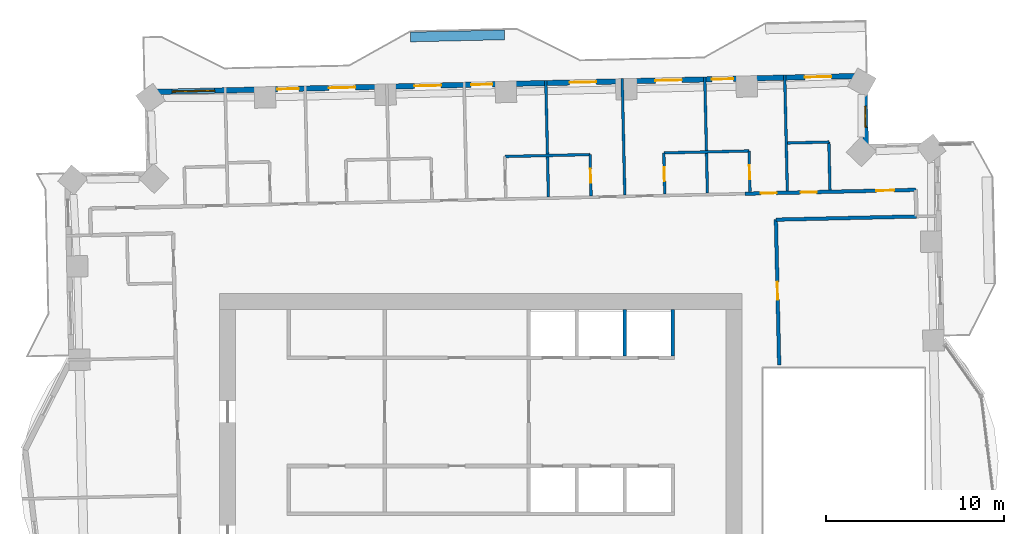
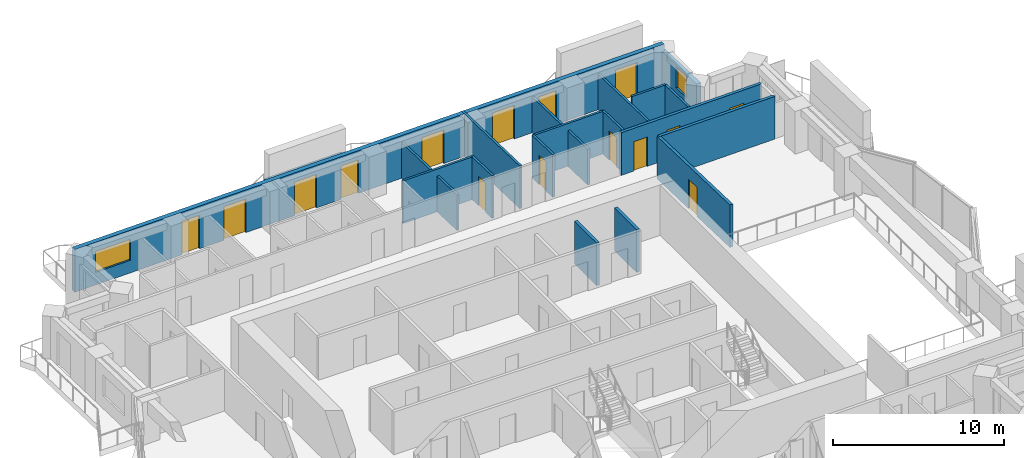
# One storey, part 11 of 16: 19 walls, 15 doors, 2 windows, 17 openings.
"""IFC4 building model written with IfcOpenShell, lengths in metres."""

from ifc_helpers import new_model, si_unit, direction, frame, frame_2d, origin, place, context, subcontext, project, spatial, rectangle, extrude, material, layer, layer_set, type_object, element, fill, save


model = new_model("IFC4")

# Units and contexts
model_context = context("Model", 3, precision=1e-05, world=origin(), true_north=direction((0.0, 1.0)))
body_context = subcontext(model_context, "Body", "Model", "MODEL_VIEW")
ifc_project = project(units=[si_unit("LENGTHUNIT", "METRE"), si_unit("AREAUNIT", "SQUARE_METRE"), si_unit("VOLUMEUNIT", "CUBIC_METRE"), si_unit("PLANEANGLEUNIT", "RADIAN"), si_unit("MASSUNIT", "GRAM", prefix="KILO")], contexts=[model_context])

# Site, building, storey
site_placement = place(None, origin())
site = spatial("IfcSite", under=ifc_project, at=site_placement, CompositionType="ELEMENT")
building_placement = place(site_placement, origin())
building = spatial("IfcBuilding", under=site, at=building_placement, Name="Mangrove Gate Tower", CompositionType="ELEMENT")
storey_placement = place(building_placement, frame((0.0, 0.0, 178.89990234375)))
storey = spatial("IfcBuildingStorey", under=building, at=storey_placement, Name="L45", CompositionType="ELEMENT", Elevation=178.89990234375)

# Walls
ifc_material_1 = material(Name="Concrete C60/75", Category="concrete")
ifc_layer_1 = layer(ifc_material_1, 0.199951171875)
ifc_layer_set_1 = layer_set([ifc_layer_1], Name="Core shaft wall 200 C60/75")
wall_type_1 = type_object("IfcWallType", Name="Core shaft wall 200 C60/75", PredefinedType="SHEAR", material=ifc_layer_set_1)
for number, where, z_axis, x_axis, name in (
    (1, (8.10009765625, 8.199951171875, 0.0), (0.0, 0.0, 1.0), (0.0, 1.0, 0.0), "WALL-L45-CORE-29"),
    (2, (10.800048828125, 8.199951171875, 0.0), (0.0, 0.0, 1.0), (0.0, 1.0, 0.0), "WALL-L45-CORE-30"),
):
    element("IfcWall", number, at=place(storey_placement, frame(where, z_axis=z_axis, x_axis=x_axis)), inside=storey, type_object=wall_type_1, Name=name, PredefinedType="SHEAR", context=body_context, shape_type="SweptSolid", body=[
        extrude(rectangle(XDim=2.60009765625, YDim=0.199951171875, at=frame_2d((1.300048828125, 0.0))), origin(), (0.0, 0.0, 1.0), 3.050048828125),
    ])

# Wall, opening, door
ifc_material_2 = material(Name="Gypsum board on steel stud, EI 60", Category="steel")
ifc_layer_2 = layer(ifc_material_2, 0.199951171875)
ifc_layer_set_2 = layer_set([ifc_layer_2], Name="Corridor wall EI 60")
wall_type_2 = type_object("IfcWallType", Name="Corridor wall EI 60", PredefinedType="PARTITIONING", material=ifc_layer_set_2)
wall_1_placement = place(storey_placement, frame((16.797119140625, 7.674072265625, 0.0), z_axis=(0.0, 0.0, 1.0), x_axis=(-0.022698399288, 0.999742358145, 0.0)))
wall_1 = element("IfcWall", 3, at=wall_1_placement, inside=storey, type_object=wall_type_2, Name="WALL-L45-038", PredefinedType="PARTITIONING", context=body_context, shape_type="SweptSolid", body=[
    extrude(rectangle(XDim=8.196044921875, YDim=0.199951171875, at=frame_2d((4.09814453125, 0.0))), origin(), (0.0, 0.0, 1.0), 3.050048828125),
])
opening_1_placement = place(wall_1_placement, frame((3.68310546875, 0.0, 0.0)))
opening_1 = element("IfcOpeningElement", 4, at=opening_1_placement, cuts=wall_1, Name="Opening AD", PredefinedType="OPENING", context=body_context, shape_type="SweptSolid", body=[
    extrude(rectangle(XDim=1.0, YDim=2.10009765625, at=frame_2d((0.5, 1.050048828125))), frame((0.0, 0.10986328125, 0.0), z_axis=(0.0, -1.0, 0.0), x_axis=(1.0, 0.0, 0.0)), (0.0, 0.0, 1.0), 0.219970703125),
])
ifc_material_3 = material(Name="Timber door leaf", Category="wood")
door_type_1 = type_object("IfcDoorType", Name="Amenity door 1000", OperationType="SINGLE_SWING_LEFT", PredefinedType="DOOR", material=ifc_material_3)
door_1_placement = place(opening_1_placement, origin())
door_1 = element("IfcDoor", 5, at=door_1_placement, inside=storey, type_object=door_type_1, Name="DOOR-L45-GAM-c3a", OperationType="SINGLE_SWING_RIGHT", OverallHeight=2.10009765625, OverallWidth=1.0, PredefinedType="DOOR", context=body_context, shape_type="SweptSolid", body=[
    extrude(rectangle(XDim=1.0, YDim=2.10009765625, at=frame_2d((0.5, 1.050048828125))), frame((0.0, 0.02490234375, 0.0), z_axis=(0.0, -1.0, 0.0), x_axis=(1.0, 0.0, 0.0)), (0.0, 0.0, 1.0), 0.050048828125),
])
fill(opening_1, door_1)

# Wall
wall_2_placement = place(storey_placement, frame((16.612060546875, 15.864013671875, 0.0), z_axis=(0.0, 0.0, 1.0), x_axis=(0.999741181744, 0.022750154412, 0.0)))
element("IfcWall", 6, at=wall_2_placement, inside=storey, type_object=wall_type_2, Name="WALL-L45-044", PredefinedType="PARTITIONING", context=body_context, shape_type="SweptSolid", body=[
    extrude(rectangle(XDim=7.908935546875, YDim=0.199951171875, at=frame_2d((3.95458984375, 0.0))), origin(), (0.0, 0.0, 1.0), 3.050048828125),
])

# Wall, openings, doors
wall_3_placement = place(storey_placement, frame((14.8798828125, 17.324951171875, 0.0), z_axis=(0.0, 0.0, 1.0), x_axis=(0.999742504166, 0.022691966963, 0.0)))
wall_3 = element("IfcWall", 7, at=wall_3_placement, inside=storey, type_object=wall_type_2, Name="WALL-L45-050", PredefinedType="PARTITIONING", context=body_context, shape_type="SweptSolid", body=[
    extrude(rectangle(XDim=9.607666015625, YDim=0.199951171875, at=frame_2d((4.8037109375, 0.0))), origin(), (0.0, 0.0, 1.0), 3.050048828125),
])
opening_2_placement = place(wall_3_placement, frame((7.39306640625, 0.0, 0.0)))
opening_2 = element("IfcOpeningElement", 8, at=opening_2_placement, cuts=wall_3, Name="Opening AD", PredefinedType="OPENING", context=body_context, shape_type="SweptSolid", body=[
    extrude(rectangle(XDim=1.0, YDim=2.10009765625, at=frame_2d((0.5, 1.050048828125))), frame((0.0, 0.10986328125, 0.0), z_axis=(0.0, -1.0, 0.0), x_axis=(1.0, 0.0, 0.0)), (0.0, 0.0, 1.0), 0.219970703125),
])
opening_3_placement = place(wall_3_placement, frame((3.1279296875, 0.0, 0.0)))
opening_3 = element("IfcOpeningElement", 9, at=opening_3_placement, cuts=wall_3, Name="Opening SD", PredefinedType="OPENING", context=body_context, shape_type="SweptSolid", body=[
    extrude(rectangle(XDim=0.89990234375, YDim=2.10009765625, at=frame_2d((0.449951171875, 1.050048828125))), frame((0.0, 0.10986328125, 0.0), z_axis=(0.0, -1.0, 0.0), x_axis=(1.0, 0.0, 0.0)), (0.0, 0.0, 1.0), 0.219970703125),
])
opening_4_placement = place(wall_3_placement, frame((0.8779296875, 0.0, 0.0)))
opening_4 = element("IfcOpeningElement", 10, at=opening_4_placement, cuts=wall_3, Name="Opening BD", PredefinedType="OPENING", context=body_context, shape_type="SweptSolid", body=[
    extrude(rectangle(XDim=0.89990234375, YDim=2.10009765625, at=frame_2d((0.449951171875, 1.050048828125))), frame((0.0, 0.10986328125, 0.0), z_axis=(0.0, -1.0, 0.0), x_axis=(1.0, 0.0, 0.0)), (0.0, 0.0, 1.0), 0.219970703125),
])
door_2_placement = place(opening_2_placement, origin())
door_2 = element("IfcDoor", 11, at=door_2_placement, inside=storey, type_object=door_type_1, Name="DOOR-L45-GAM-c3b", OperationType="SINGLE_SWING_LEFT", OverallHeight=2.10009765625, OverallWidth=1.0, PredefinedType="DOOR", context=body_context, shape_type="SweptSolid", body=[
    extrude(rectangle(XDim=1.0, YDim=2.10009765625, at=frame_2d((0.5, 1.050048828125))), frame((0.0, 0.02490234375, 0.0), z_axis=(0.0, -1.0, 0.0), x_axis=(1.0, 0.0, 0.0)), (0.0, 0.0, 1.0), 0.050048828125),
])
fill(opening_2, door_2)
ifc_material_4 = material(Name="Timber door leaf", Category="wood")
door_type_2 = type_object("IfcDoorType", Name="Bedroom door 900", OperationType="SINGLE_SWING_LEFT", PredefinedType="DOOR", material=ifc_material_4)
door_3_placement = place(opening_4_placement, origin())
door_3 = element("IfcDoor", 12, at=door_3_placement, inside=storey, type_object=door_type_2, Name="DOOR-L45-BED-c308", OperationType="SINGLE_SWING_RIGHT", OverallHeight=2.10009765625, OverallWidth=0.89990234375, PredefinedType="DOOR", context=body_context, shape_type="SweptSolid", body=[
    extrude(rectangle(XDim=0.89990234375, YDim=2.10009765625, at=frame_2d((0.449951171875, 1.050048828125))), frame((0.0, 0.02490234375, 0.0), z_axis=(0.0, -1.0, 0.0), x_axis=(1.0, 0.0, 0.0)), (0.0, 0.0, 1.0), 0.050048828125),
])
fill(opening_4, door_3)
ifc_material_5 = material(Name="Timber door leaf", Category="wood")
door_type_3 = type_object("IfcDoorType", Name="Service room door 900", OperationType="SINGLE_SWING_LEFT", PredefinedType="DOOR", material=ifc_material_5)
door_4_placement = place(opening_3_placement, origin())
door_4 = element("IfcDoor", 13, at=door_4_placement, inside=storey, type_object=door_type_3, Name="DOOR-L45-WC-c3a", OperationType="SINGLE_SWING_LEFT", OverallHeight=2.10009765625, OverallWidth=0.89990234375, PredefinedType="DOOR", context=body_context, shape_type="SweptSolid", body=[
    extrude(rectangle(XDim=0.89990234375, YDim=2.10009765625, at=frame_2d((0.449951171875, 1.050048828125))), frame((0.0, 0.02490234375, 0.0), z_axis=(0.0, -1.0, 0.0), x_axis=(1.0, 0.0, 0.0)), (0.0, 0.0, 1.0), 0.050048828125),
])
fill(opening_3, door_4)

# Wall, opening, window
ifc_material_6 = material(Name="Limestone", Category="masonry")
ifc_layer_3 = layer(ifc_material_6, 0.0400390625, Name="Limestone cladding")
ifc_material_7 = material(Name="Ventilated air gap")
ifc_layer_4 = layer(ifc_material_7, 0.0400390625, Name="Ventilated cavity")
ifc_material_8 = material(Name="Mineral wool insulation")
ifc_layer_5 = layer(ifc_material_8, 0.06005859375, Name="Insulation")
ifc_material_9 = material(Name="Breather membrane")
ifc_layer_6 = layer(ifc_material_9, 0.001953125, Name="Breather membrane")
ifc_material_10 = material(Name="Concrete C20/25 blockwork", Category="masonry")
ifc_layer_7 = layer(ifc_material_10, 0.14990234375, Name="Blockwork backing wall")
ifc_material_11 = material(Name="Gypsum plaster")
ifc_layer_8 = layer(ifc_material_11, 0.008056640625, Name="Internal plaster")
ifc_layer_set_3 = layer_set([ifc_layer_3, ifc_layer_4, ifc_layer_5, ifc_layer_6, ifc_layer_7, ifc_layer_8], Name="External wall 300 limestone cladding")
wall_type_3 = type_object("IfcWallType", Name="External wall 300 limestone cladding", PredefinedType="SOLIDWALL", material=ifc_layer_set_3)
wall_4_placement = place(storey_placement, frame((21.679931640625, 19.9599609375, 0.0), z_axis=(0.0, 0.0, 1.0), x_axis=(-0.022704768219, 0.999742213523, 0.0)))
wall_4 = element("IfcWall", 14, at=wall_4_placement, inside=storey, type_object=wall_type_3, Name="WALL-L45-E4", PredefinedType="SOLIDWALL", context=body_context, shape_type="SweptSolid", body=[
    extrude(rectangle(XDim=4.0, YDim=0.300048828125, at=frame_2d((2.0, 0.0))), origin(), (0.0, 0.0, 1.0), 2.550048828125),
])
opening_5_placement = place(wall_4_placement, frame((1.093017578125, 0.0, 0.89990234375)))
opening_5 = element("IfcOpeningElement", 15, at=opening_5_placement, cuts=wall_4, Name="Opening W1", PredefinedType="OPENING", context=body_context, shape_type="SweptSolid", body=[
    extrude(rectangle(XDim=1.199951171875, YDim=1.5, at=frame_2d((0.60009765625, 0.75))), frame((0.0, 0.159912109375, 0.0), z_axis=(0.0, -1.0, 0.0), x_axis=(1.0, 0.0, 0.0)), (0.0, 0.0, 1.0), 0.320068359375),
])
ifc_material_12 = material(Name="Aluminium frame with double-glazed low-e glass", Category="aluminium")
window_type_1 = type_object("IfcWindowType", Name="Side lite 1200x1500", PartitioningType="SINGLE_PANEL", PredefinedType="WINDOW", material=ifc_material_12)
window_1_placement = place(opening_5_placement, origin())
window_1 = element("IfcWindow", 16, at=window_1_placement, inside=storey, type_object=window_type_1, Name="WIN-L45-E4-1", OverallHeight=1.5, OverallWidth=1.199951171875, PartitioningType="SINGLE_PANEL", PredefinedType="WINDOW", context=body_context, shape_type="SweptSolid", body=[
    extrude(rectangle(XDim=1.199951171875, YDim=1.5, at=frame_2d((0.60009765625, 0.75))), frame((0.0, 0.030029296875, 0.0), z_axis=(0.0, -1.0, 0.0), x_axis=(1.0, 0.0, 0.0)), (0.0, 0.0, 1.0), 0.06005859375),
])
fill(opening_5, window_1)

# Wall, openings, doors, window
wall_5_placement = place(storey_placement, frame((21.589111328125, 23.958984375, 0.0), z_axis=(0.0, 0.0, 1.0), x_axis=(-0.999742671382, -0.022684598702, 0.0)))
wall_5 = element("IfcWall", 17, at=wall_5_placement, inside=storey, type_object=wall_type_3, Name="WALL-L45-N5", PredefinedType="SOLIDWALL", context=body_context, shape_type="SweptSolid", body=[
    extrude(rectangle(XDim=40.380615234375, YDim=0.300048828125, at=frame_2d((20.1904296875, 0.0))), origin(), (0.0, 0.0, 1.0), 3.050048828125),
])
opening_6_placement = place(wall_5_placement, frame((1.85302734375, 0.0, 0.0)))
opening_6 = element("IfcOpeningElement", 18, at=opening_6_placement, cuts=wall_5, Name="Opening BD1", PredefinedType="OPENING", context=body_context, shape_type="SweptSolid", body=[
    extrude(rectangle(XDim=1.5, YDim=2.39990234375, at=frame_2d((0.75, 1.199951171875))), frame((0.0, 0.159912109375, 0.0), z_axis=(0.0, -1.0, 0.0), x_axis=(1.0, 0.0, 0.0)), (0.0, 0.0, 1.0), 0.320068359375),
])
opening_7_placement = place(wall_5_placement, frame((7.3798828125, 0.0, 0.0)))
opening_7 = element("IfcOpeningElement", 19, at=opening_7_placement, cuts=wall_5, Name="Opening BD2", PredefinedType="OPENING", context=body_context, shape_type="SweptSolid", body=[
    extrude(rectangle(XDim=1.199951171875, YDim=2.39990234375, at=frame_2d((0.60009765625, 1.199951171875))), frame((0.0, 0.159912109375, 0.0), z_axis=(0.0, -1.0, 0.0), x_axis=(1.0, 0.0, 0.0)), (0.0, 0.0, 1.0), 0.320068359375),
])
opening_8_placement = place(wall_5_placement, frame((10.27001953125, 0.0, 0.0)))
opening_8 = element("IfcOpeningElement", 20, at=opening_8_placement, cuts=wall_5, Name="Opening BD1", PredefinedType="OPENING", context=body_context, shape_type="SweptSolid", body=[
    extrude(rectangle(XDim=1.5, YDim=2.39990234375, at=frame_2d((0.75, 1.199951171875))), frame((0.0, 0.159912109375, 0.0), z_axis=(0.0, -1.0, 0.0), x_axis=(1.0, 0.0, 0.0)), (0.0, 0.0, 1.0), 0.320068359375),
])
opening_9_placement = place(wall_5_placement, frame((15.094970703125, 0.0, 0.0)))
opening_9 = element("IfcOpeningElement", 21, at=opening_9_placement, cuts=wall_5, Name="Opening BD1", PredefinedType="OPENING", context=body_context, shape_type="SweptSolid", body=[
    extrude(rectangle(XDim=1.5, YDim=2.39990234375, at=frame_2d((0.75, 1.199951171875))), frame((0.0, 0.159912109375, 0.0), z_axis=(0.0, -1.0, 0.0), x_axis=(1.0, 0.0, 0.0)), (0.0, 0.0, 1.0), 0.320068359375),
])
opening_10_placement = place(wall_5_placement, frame((20.93505859375, 0.0, 0.0)))
opening_10 = element("IfcOpeningElement", 22, at=opening_10_placement, cuts=wall_5, Name="Opening BD2", PredefinedType="OPENING", context=body_context, shape_type="SweptSolid", body=[
    extrude(rectangle(XDim=1.199951171875, YDim=2.39990234375, at=frame_2d((0.60009765625, 1.199951171875))), frame((0.0, 0.159912109375, 0.0), z_axis=(0.0, -1.0, 0.0), x_axis=(1.0, 0.0, 0.0)), (0.0, 0.0, 1.0), 0.320068359375),
])
opening_11_placement = place(wall_5_placement, frame((23.824951171875, 0.0, 0.0)))
opening_11 = element("IfcOpeningElement", 23, at=opening_11_placement, cuts=wall_5, Name="Opening BD1", PredefinedType="OPENING", context=body_context, shape_type="SweptSolid", body=[
    extrude(rectangle(XDim=1.5, YDim=2.39990234375, at=frame_2d((0.75, 1.199951171875))), frame((0.0, 0.159912109375, 0.0), z_axis=(0.0, -1.0, 0.0), x_axis=(1.0, 0.0, 0.0)), (0.0, 0.0, 1.0), 0.320068359375),
])
opening_12_placement = place(wall_5_placement, frame((28.64990234375, 0.0, 0.0)))
opening_12 = element("IfcOpeningElement", 24, at=opening_12_placement, cuts=wall_5, Name="Opening BD1", PredefinedType="OPENING", context=body_context, shape_type="SweptSolid", body=[
    extrude(rectangle(XDim=1.5, YDim=2.39990234375, at=frame_2d((0.75, 1.199951171875))), frame((0.0, 0.159912109375, 0.0), z_axis=(0.0, -1.0, 0.0), x_axis=(1.0, 0.0, 0.0)), (0.0, 0.0, 1.0), 0.320068359375),
])
opening_13_placement = place(wall_5_placement, frame((31.840087890625, 0.0, 0.0)))
opening_13 = element("IfcOpeningElement", 25, at=opening_13_placement, cuts=wall_5, Name="Opening BD2", PredefinedType="OPENING", context=body_context, shape_type="SweptSolid", body=[
    extrude(rectangle(XDim=1.199951171875, YDim=2.39990234375, at=frame_2d((0.60009765625, 1.199951171875))), frame((0.0, 0.159912109375, 0.0), z_axis=(0.0, -1.0, 0.0), x_axis=(1.0, 0.0, 0.0)), (0.0, 0.0, 1.0), 0.320068359375),
])
opening_14_placement = place(wall_5_placement, frame((36.570068359375, 0.0, 0.89990234375)))
opening_14 = element("IfcOpeningElement", 26, at=opening_14_placement, cuts=wall_5, Name="Opening W2", PredefinedType="OPENING", context=body_context, shape_type="SweptSolid", body=[
    extrude(rectangle(XDim=2.39990234375, YDim=1.5, at=frame_2d((1.199951171875, 0.75))), frame((0.0, 0.159912109375, 0.0), z_axis=(0.0, -1.0, 0.0), x_axis=(1.0, 0.0, 0.0)), (0.0, 0.0, 1.0), 0.320068359375),
])
ifc_material_13 = material(Name="Aluminium frame with laminated clear glass", Category="aluminium")
door_type_4 = type_object("IfcDoorType", Name="Balcony sliding door 1200x2400", OperationType="SLIDING_TO_LEFT", PredefinedType="DOOR", material=ifc_material_13)
door_5_placement = place(opening_7_placement, origin())
door_5 = element("IfcDoor", 27, at=door_5_placement, inside=storey, type_object=door_type_4, Name="DOOR-L45-N5-2", OperationType="SLIDING_TO_LEFT", OverallHeight=2.39990234375, OverallWidth=1.199951171875, PredefinedType="DOOR", context=body_context, shape_type="SweptSolid", body=[
    extrude(rectangle(XDim=1.199951171875, YDim=2.39990234375, at=frame_2d((0.60009765625, 1.199951171875))), frame((0.0, 0.02490234375, 0.0), z_axis=(0.0, -1.0, 0.0), x_axis=(1.0, 0.0, 0.0)), (0.0, 0.0, 1.0), 0.050048828125),
])
fill(opening_7, door_5)
door_6_placement = place(opening_10_placement, origin())
door_6 = element("IfcDoor", 28, at=door_6_placement, inside=storey, type_object=door_type_4, Name="DOOR-L45-N5-5", OperationType="SLIDING_TO_LEFT", OverallHeight=2.39990234375, OverallWidth=1.199951171875, PredefinedType="DOOR", context=body_context, shape_type="SweptSolid", body=[
    extrude(rectangle(XDim=1.199951171875, YDim=2.39990234375, at=frame_2d((0.60009765625, 1.199951171875))), frame((0.0, 0.02490234375, 0.0), z_axis=(0.0, -1.0, 0.0), x_axis=(1.0, 0.0, 0.0)), (0.0, 0.0, 1.0), 0.050048828125),
])
fill(opening_10, door_6)
door_7_placement = place(opening_13_placement, origin())
door_7 = element("IfcDoor", 29, at=door_7_placement, inside=storey, type_object=door_type_4, Name="DOOR-L45-N5-8", OperationType="SLIDING_TO_LEFT", OverallHeight=2.39990234375, OverallWidth=1.199951171875, PredefinedType="DOOR", context=body_context, shape_type="SweptSolid", body=[
    extrude(rectangle(XDim=1.199951171875, YDim=2.39990234375, at=frame_2d((0.60009765625, 1.199951171875))), frame((0.0, 0.02490234375, 0.0), z_axis=(0.0, -1.0, 0.0), x_axis=(1.0, 0.0, 0.0)), (0.0, 0.0, 1.0), 0.050048828125),
])
fill(opening_13, door_7)
ifc_material_14 = material(Name="Aluminium frame with laminated clear glass", Category="aluminium")
door_type_5 = type_object("IfcDoorType", Name="Balcony sliding door 1500x2400", OperationType="SLIDING_TO_LEFT", PredefinedType="DOOR", material=ifc_material_14)
door_8_placement = place(opening_6_placement, origin())
door_8 = element("IfcDoor", 30, at=door_8_placement, inside=storey, type_object=door_type_5, Name="DOOR-L45-N5-1", OperationType="SLIDING_TO_LEFT", OverallHeight=2.39990234375, OverallWidth=1.5, PredefinedType="DOOR", context=body_context, shape_type="SweptSolid", body=[
    extrude(rectangle(XDim=1.5, YDim=2.39990234375, at=frame_2d((0.75, 1.199951171875))), frame((0.0, 0.02490234375, 0.0), z_axis=(0.0, -1.0, 0.0), x_axis=(1.0, 0.0, 0.0)), (0.0, 0.0, 1.0), 0.050048828125),
])
fill(opening_6, door_8)
door_9_placement = place(opening_8_placement, origin())
door_9 = element("IfcDoor", 31, at=door_9_placement, inside=storey, type_object=door_type_5, Name="DOOR-L45-N5-3", OperationType="SLIDING_TO_LEFT", OverallHeight=2.39990234375, OverallWidth=1.5, PredefinedType="DOOR", context=body_context, shape_type="SweptSolid", body=[
    extrude(rectangle(XDim=1.5, YDim=2.39990234375, at=frame_2d((0.75, 1.199951171875))), frame((0.0, 0.02490234375, 0.0), z_axis=(0.0, -1.0, 0.0), x_axis=(1.0, 0.0, 0.0)), (0.0, 0.0, 1.0), 0.050048828125),
])
fill(opening_8, door_9)
door_10_placement = place(opening_9_placement, origin())
door_10 = element("IfcDoor", 32, at=door_10_placement, inside=storey, type_object=door_type_5, Name="DOOR-L45-N5-4", OperationType="SLIDING_TO_LEFT", OverallHeight=2.39990234375, OverallWidth=1.5, PredefinedType="DOOR", context=body_context, shape_type="SweptSolid", body=[
    extrude(rectangle(XDim=1.5, YDim=2.39990234375, at=frame_2d((0.75, 1.199951171875))), frame((0.0, 0.02490234375, 0.0), z_axis=(0.0, -1.0, 0.0), x_axis=(1.0, 0.0, 0.0)), (0.0, 0.0, 1.0), 0.050048828125),
])
fill(opening_9, door_10)
door_11_placement = place(opening_11_placement, origin())
door_11 = element("IfcDoor", 33, at=door_11_placement, inside=storey, type_object=door_type_5, Name="DOOR-L45-N5-6", OperationType="SLIDING_TO_LEFT", OverallHeight=2.39990234375, OverallWidth=1.5, PredefinedType="DOOR", context=body_context, shape_type="SweptSolid", body=[
    extrude(rectangle(XDim=1.5, YDim=2.39990234375, at=frame_2d((0.75, 1.199951171875))), frame((0.0, 0.02490234375, 0.0), z_axis=(0.0, -1.0, 0.0), x_axis=(1.0, 0.0, 0.0)), (0.0, 0.0, 1.0), 0.050048828125),
])
fill(opening_11, door_11)
door_12_placement = place(opening_12_placement, origin())
door_12 = element("IfcDoor", 34, at=door_12_placement, inside=storey, type_object=door_type_5, Name="DOOR-L45-N5-7", OperationType="SLIDING_TO_LEFT", OverallHeight=2.39990234375, OverallWidth=1.5, PredefinedType="DOOR", context=body_context, shape_type="SweptSolid", body=[
    extrude(rectangle(XDim=1.5, YDim=2.39990234375, at=frame_2d((0.75, 1.199951171875))), frame((0.0, 0.02490234375, 0.0), z_axis=(0.0, -1.0, 0.0), x_axis=(1.0, 0.0, 0.0)), (0.0, 0.0, 1.0), 0.050048828125),
])
fill(opening_12, door_12)
ifc_material_15 = material(Name="Aluminium frame with double-glazed low-e glass", Category="aluminium")
window_type_2 = type_object("IfcWindowType", Name="Corner room window 2400x1500", PartitioningType="DOUBLE_PANEL_VERTICAL", PredefinedType="WINDOW", material=ifc_material_15)
window_2_placement = place(opening_14_placement, origin())
window_2 = element("IfcWindow", 35, at=window_2_placement, inside=storey, type_object=window_type_2, Name="WIN-L45-N5-9", OverallHeight=1.5, OverallWidth=2.39990234375, PartitioningType="DOUBLE_PANEL_VERTICAL", PredefinedType="WINDOW", context=body_context, shape_type="SweptSolid", body=[
    extrude(rectangle(XDim=2.39990234375, YDim=1.5, at=frame_2d((1.199951171875, 0.75))), frame((0.0, 0.030029296875, 0.0), z_axis=(0.0, -1.0, 0.0), x_axis=(1.0, 0.0, 0.0)), (0.0, 0.0, 1.0), 0.06005859375),
])
fill(opening_14, window_2)

# Wall
ifc_material_16 = material(Name="Gypsum board on steel stud, EI 60", Category="steel")
ifc_layer_9 = layer(ifc_material_16, 0.14990234375)
ifc_layer_set_4 = layer_set([ifc_layer_9], Name="Party wall 150 EI 60")
wall_type_4 = type_object("IfcWallType", Name="Party wall 150 EI 60", PredefinedType="PARTITIONING", material=ifc_layer_set_4)
wall_6_placement = place(storey_placement, frame((3.80908203125, 17.153076171875, 0.0), z_axis=(0.0, 0.0, 1.0), x_axis=(-0.022772202332, 0.999740679777, 0.0)))
element("IfcWall", 36, at=wall_6_placement, inside=storey, type_object=wall_type_4, Name="WALL-L45-060", PredefinedType="PARTITIONING", context=body_context, shape_type="SweptSolid", body=[
    extrude(rectangle(XDim=6.550537109375, YDim=0.14990234375, at=frame_2d((3.275390625, 0.0))), origin(), (0.0, 0.0, 1.0), 2.550048828125),
])

# Wall, opening, door
wall_7_placement = place(storey_placement, frame((6.2080078125, 17.2080078125, 0.0), z_axis=(0.0, 0.0, 1.0), x_axis=(-0.02279059109, 0.999740260747, 0.0)))
wall_7 = element("IfcWall", 37, at=wall_7_placement, inside=storey, type_object=wall_type_4, Name="WALL-L45-061", PredefinedType="PARTITIONING", context=body_context, shape_type="SweptSolid", body=[
    extrude(rectangle(XDim=2.324462890625, YDim=0.14990234375, at=frame_2d((1.162109375, 0.0))), origin(), (0.0, 0.0, 1.0), 3.050048828125),
])
opening_15_placement = place(wall_7_placement, frame((0.72509765625, 0.0, 0.0)))
opening_15 = element("IfcOpeningElement", 38, at=opening_15_placement, cuts=wall_7, Name="Opening ED", PredefinedType="OPENING", context=body_context, shape_type="SweptSolid", body=[
    extrude(rectangle(XDim=0.800048828125, YDim=2.10009765625, at=frame_2d((0.39990234375, 1.050048828125))), frame((0.0, 0.0849609375, 0.0), z_axis=(0.0, -1.0, 0.0), x_axis=(1.0, 0.0, 0.0)), (0.0, 0.0, 1.0), 0.169921875),
])
ifc_material_17 = material(Name="Timber door leaf", Category="wood")
door_type_6 = type_object("IfcDoorType", Name="En-suite door 800", OperationType="SINGLE_SWING_LEFT", PredefinedType="DOOR", material=ifc_material_17)
door_13_placement = place(opening_15_placement, origin())
door_13 = element("IfcDoor", 39, at=door_13_placement, inside=storey, type_object=door_type_6, Name="DOOR-L45-ENS-c410", OperationType="SINGLE_SWING_RIGHT", OverallHeight=2.10009765625, OverallWidth=0.800048828125, PredefinedType="DOOR", context=body_context, shape_type="SweptSolid", body=[
    extrude(rectangle(XDim=0.800048828125, YDim=2.10009765625, at=frame_2d((0.39990234375, 1.050048828125))), frame((0.0, 0.02490234375, 0.0), z_axis=(0.0, -1.0, 0.0), x_axis=(1.0, 0.0, 0.0)), (0.0, 0.0, 1.0), 0.050048828125),
])
fill(opening_15, door_13)

# Wall
wall_8_placement = place(storey_placement, frame((8.10791015625, 17.2509765625, 0.0), z_axis=(0.0, 0.0, 1.0), x_axis=(-0.022734104141, 0.999741546855, 0.0)))
element("IfcWall", 40, at=wall_8_placement, inside=storey, type_object=wall_type_4, Name="WALL-L45-062", PredefinedType="PARTITIONING", context=body_context, shape_type="SweptSolid", body=[
    extrude(rectangle(XDim=6.55078125, YDim=0.14990234375, at=frame_2d((3.275390625, 0.0))), origin(), (0.0, 0.0, 1.0), 3.050048828125),
])

# Wall, opening, door
wall_9_placement = place(storey_placement, frame((10.35693359375, 17.302001953125, 0.0), z_axis=(0.0, 0.0, 1.0), x_axis=(-0.02279059109, 0.999740260747, 0.0)))
wall_9 = element("IfcWall", 41, at=wall_9_placement, inside=storey, type_object=wall_type_4, Name="WALL-L45-063", PredefinedType="PARTITIONING", context=body_context, shape_type="SweptSolid", body=[
    extrude(rectangle(XDim=2.324462890625, YDim=0.14990234375, at=frame_2d((1.162109375, 0.0))), origin(), (0.0, 0.0, 1.0), 3.050048828125),
])
opening_16_placement = place(wall_9_placement, frame((0.72509765625, 0.0, 0.0)))
opening_16 = element("IfcOpeningElement", 42, at=opening_16_placement, cuts=wall_9, Name="Opening ED", PredefinedType="OPENING", context=body_context, shape_type="SweptSolid", body=[
    extrude(rectangle(XDim=0.800048828125, YDim=2.10009765625, at=frame_2d((0.39990234375, 1.050048828125))), frame((0.0, 0.0849609375, 0.0), z_axis=(0.0, -1.0, 0.0), x_axis=(1.0, 0.0, 0.0)), (0.0, 0.0, 1.0), 0.169921875),
])
door_14_placement = place(opening_16_placement, origin())
door_14 = element("IfcDoor", 43, at=door_14_placement, inside=storey, type_object=door_type_6, Name="DOOR-L45-ENS-c309", OperationType="SINGLE_SWING_LEFT", OverallHeight=2.10009765625, OverallWidth=0.800048828125, PredefinedType="DOOR", context=body_context, shape_type="SweptSolid", body=[
    extrude(rectangle(XDim=0.800048828125, YDim=2.10009765625, at=frame_2d((0.39990234375, 1.050048828125))), frame((0.0, 0.02490234375, 0.0), z_axis=(0.0, -1.0, 0.0), x_axis=(1.0, 0.0, 0.0)), (0.0, 0.0, 1.0), 0.050048828125),
])
fill(opening_16, door_14)

# Wall
wall_10_placement = place(storey_placement, frame((12.757080078125, 17.35595703125, 0.0), z_axis=(0.0, 0.0, 1.0), x_axis=(-0.022771353855, 0.999740699103, 0.0)))
element("IfcWall", 44, at=wall_10_placement, inside=storey, type_object=wall_type_4, Name="WALL-L45-064", PredefinedType="PARTITIONING", context=body_context, shape_type="SweptSolid", body=[
    extrude(rectangle(XDim=6.55078125, YDim=0.14990234375, at=frame_2d((3.275390625, 0.0))), origin(), (0.0, 0.0, 1.0), 2.550048828125),
])

# Wall, opening, door
wall_11_placement = place(storey_placement, frame((15.155029296875, 17.43603515625, 0.0), z_axis=(0.0, 0.0, 1.0), x_axis=(-0.022612884682, 0.999744296031, 0.0)))
wall_11 = element("IfcWall", 45, at=wall_11_placement, inside=storey, type_object=wall_type_4, Name="WALL-L45-065", PredefinedType="PARTITIONING", context=body_context, shape_type="SweptSolid", body=[
    extrude(rectangle(XDim=2.299560546875, YDim=0.14990234375, at=frame_2d((1.14990234375, 0.0))), origin(), (0.0, 0.0, 1.0), 3.050048828125),
])
opening_17_placement = place(wall_11_placement, frame((0.699951171875, 0.0, 0.0)))
opening_17 = element("IfcOpeningElement", 46, at=opening_17_placement, cuts=wall_11, Name="Opening ED", PredefinedType="OPENING", context=body_context, shape_type="SweptSolid", body=[
    extrude(rectangle(XDim=0.800048828125, YDim=2.10009765625, at=frame_2d((0.39990234375, 1.050048828125))), frame((0.0, 0.0849609375, 0.0), z_axis=(0.0, -1.0, 0.0), x_axis=(1.0, 0.0, 0.0)), (0.0, 0.0, 1.0), 0.169921875),
])
door_15_placement = place(opening_17_placement, origin())
door_15 = element("IfcDoor", 47, at=door_15_placement, inside=storey, type_object=door_type_6, Name="DOOR-L45-ENS-c308", OperationType="SINGLE_SWING_RIGHT", OverallHeight=2.10009765625, OverallWidth=0.800048828125, PredefinedType="DOOR", context=body_context, shape_type="SweptSolid", body=[
    extrude(rectangle(XDim=0.800048828125, YDim=2.10009765625, at=frame_2d((0.39990234375, 1.050048828125))), frame((0.0, 0.02490234375, 0.0), z_axis=(0.0, -1.0, 0.0), x_axis=(1.0, 0.0, 0.0)), (0.0, 0.0, 1.0), 0.050048828125),
])
fill(opening_17, door_15)

# Walls
wall_12_placement = place(storey_placement, frame((17.2548828125, 17.48291015625, 0.0), z_axis=(0.0, 0.0, 1.0), x_axis=(-0.022667874761, 0.999743050715, 0.0)))
element("IfcWall", 48, at=wall_12_placement, inside=storey, type_object=wall_type_4, Name="WALL-L45-066", PredefinedType="PARTITIONING", context=body_context, shape_type="SweptSolid", body=[
    extrude(rectangle(XDim=6.52685546875, YDim=0.14990234375, at=frame_2d((3.263427734375, 0.0))), origin(), (0.0, 0.0, 1.0), 2.550048828125),
])
wall_13_placement = place(storey_placement, frame((19.654052734375, 17.5380859375, 0.0), z_axis=(0.0, 0.0, 1.0), x_axis=(-0.02260842146, 0.999744396973, 0.0)))
element("IfcWall", 49, at=wall_13_placement, inside=storey, type_object=wall_type_4, Name="WALL-L45-067", PredefinedType="PARTITIONING", context=body_context, shape_type="SweptSolid", body=[
    extrude(rectangle(XDim=2.69970703125, YDim=0.14990234375, at=frame_2d((1.349853515625, 0.0))), origin(), (0.0, 0.0, 1.0), 3.050048828125),
])
wall_14_placement = place(storey_placement, frame((1.35693359375, 19.4189453125, 0.0), z_axis=(0.0, 0.0, 1.0), x_axis=(0.99974154664, 0.022734113616, 0.0)))
element("IfcWall", 50, at=wall_14_placement, inside=storey, type_object=wall_type_4, Name="WALL-L45-071", PredefinedType="PARTITIONING", context=body_context, shape_type="SweptSolid", body=[
    extrude(rectangle(XDim=4.80029296875, YDim=0.14990234375, at=frame_2d((2.400146484375, 0.0))), origin(), (0.0, 0.0, 1.0), 3.050048828125),
])
wall_15_placement = place(storey_placement, frame((10.304931640625, 19.6220703125, 0.0), z_axis=(0.0, 0.0, 1.0), x_axis=(0.999742596585, 0.02268789488, 0.0)))
element("IfcWall", 51, at=wall_15_placement, inside=storey, type_object=wall_type_4, Name="WALL-L45-072", PredefinedType="PARTITIONING", context=body_context, shape_type="SweptSolid", body=[
    extrude(rectangle(XDim=4.79931640625, YDim=0.14990234375, at=frame_2d((2.399658203125, 0.0))), origin(), (0.0, 0.0, 1.0), 3.050048828125),
])
wall_16_placement = place(storey_placement, frame((17.26904296875, 20.179931640625, 0.0), z_axis=(0.0, 0.0, 1.0), x_axis=(0.999740260747, 0.02279059109, 0.0)))
element("IfcWall", 52, at=wall_16_placement, inside=storey, type_object=wall_type_4, Name="WALL-L45-073", PredefinedType="PARTITIONING", context=body_context, shape_type="SweptSolid", body=[
    extrude(rectangle(XDim=2.324462890625, YDim=0.14990234375, at=frame_2d((1.162109375, 0.0))), origin(), (0.0, 0.0, 1.0), 3.050048828125),
])
ifc_material_18 = material(Name="Concrete C32/40", Category="concrete")
ifc_layer_10 = layer(ifc_material_18, 0.199951171875, Name="Planter trough wall")
ifc_material_19 = material(Name="Bituminous waterproofing membrane")
ifc_layer_11 = layer(ifc_material_19, 0.0048828125, Name="Waterproofing")
ifc_material_20 = material(Name="Drainage board and gravel")
ifc_layer_12 = layer(ifc_material_20, 0.044921875, Name="Drainage layer")
ifc_material_21 = material(Name="Planting soil")
ifc_layer_13 = layer(ifc_material_21, 0.300048828125, Name="Growing medium")
ifc_layer_set_5 = layer_set([ifc_layer_10, ifc_layer_11, ifc_layer_12, ifc_layer_13], Name="Planter wall 550 C32/40")
wall_type_5 = type_object("IfcWallType", Name="Planter wall 550 C32/40", PredefinedType="USERDEFINED", material=ifc_layer_set_5)
wall_17_placement = place(storey_placement, frame((-3.95703125, 26.14501953125, 0.0), z_axis=(0.0, 0.0, 1.0), x_axis=(0.999744137411, 0.022619896386, 0.0)))
element("IfcWall", 53, at=wall_17_placement, inside=storey, type_object=wall_type_5, Name="PLANTER L45 N1.1", ObjectType="PLANTER", PredefinedType="USERDEFINED", context=body_context, shape_type="SweptSolid", body=[
    extrude(rectangle(XDim=5.299560546875, YDim=0.550048828125, at=frame_2d((2.64990234375, 0.0))), origin(), (0.0, 0.0, 1.0), 0.800048828125),
])

save(model, "model.ifc")
